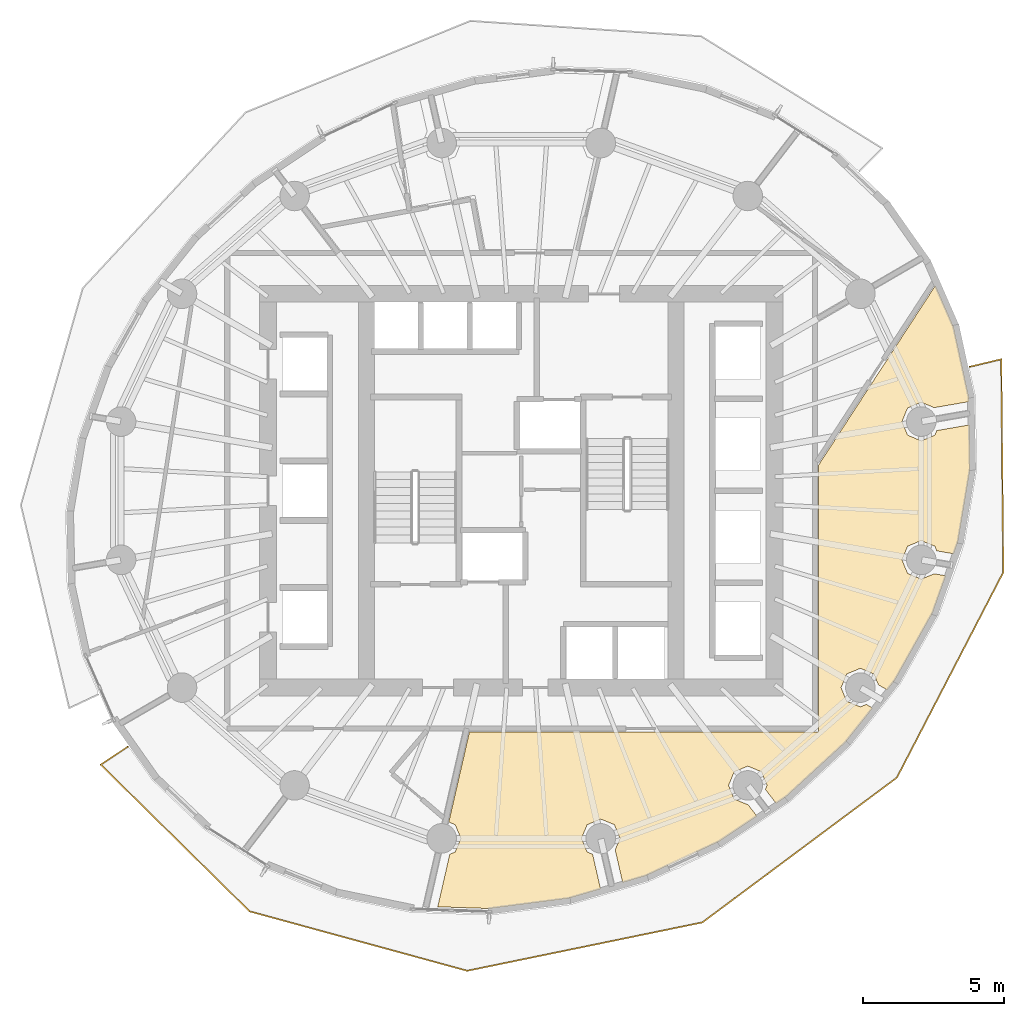
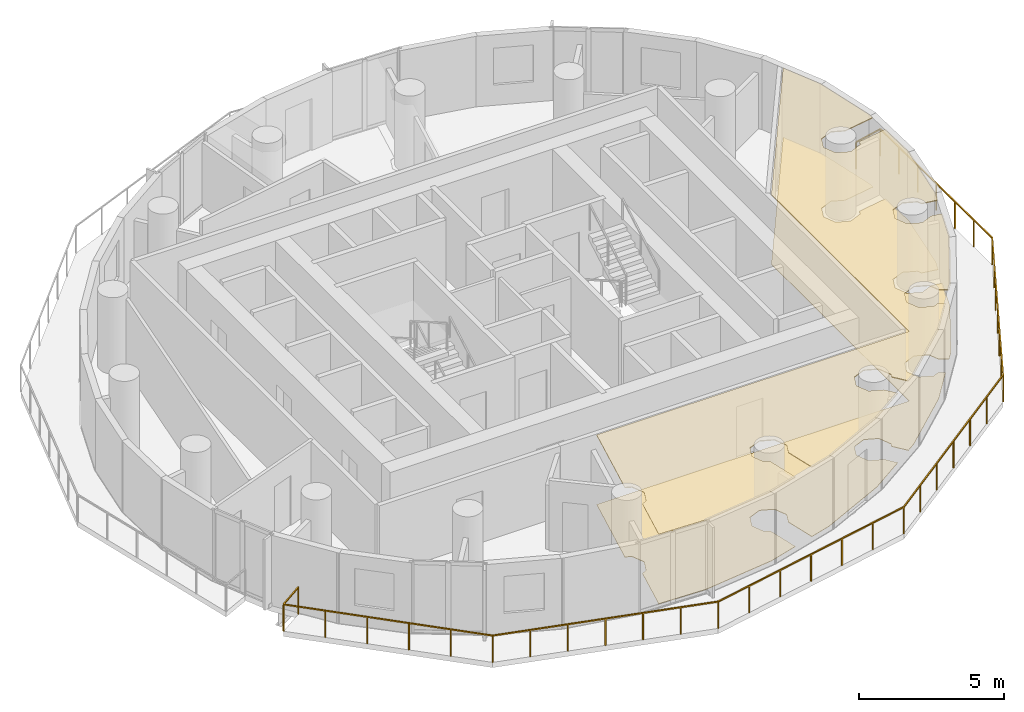
# One storey, part 10 of 13: 2 coverings, 1 railing.
"""IFC4 building model written with IfcOpenShell, lengths in metres."""

from ifc_helpers import new_model, si_unit, direction, frame, origin, origin_2d, place, context, subcontext, project, spatial, polyline, rectangle, outline, extrude, material, layer, layer_set, type_object, element, save


model = new_model("IFC4")

# Units and contexts
model_context = context("Model", 3, precision=1e-05, world=origin(), true_north=direction((0.0, 1.0)))
body_context = subcontext(model_context, "Body", "Model", "MODEL_VIEW")
ifc_project = project(units=[si_unit("LENGTHUNIT", "METRE"), si_unit("AREAUNIT", "SQUARE_METRE"), si_unit("VOLUMEUNIT", "CUBIC_METRE"), si_unit("PLANEANGLEUNIT", "RADIAN"), si_unit("MASSUNIT", "GRAM", prefix="KILO")], contexts=[model_context])

# Site, building, storey
site_placement = place(None, origin())
site = spatial("IfcSite", under=ifc_project, at=site_placement, CompositionType="ELEMENT")
building_placement = place(site_placement, origin())
building = spatial("IfcBuilding", under=site, at=building_placement, Name="Veldorim Arch Residences", CompositionType="ELEMENT")
storey_placement = place(building_placement, frame((0.0, 0.0, 120.159912109375)))
storey = spatial("IfcBuildingStorey", under=building, at=storey_placement, Name="L35", CompositionType="ELEMENT", Elevation=120.159912109375)

# Railing
ifc_material_1 = material(Name="Aluminium", Category="aluminium")
railing_type = type_object("IfcRailingType", Name="Balcony & Terrace Laminated Glass Balustrade 1150", PredefinedType="BALUSTRADE", material=ifc_material_1)
railing_placement = place(storey_placement, frame((18.01220703125, 14.89697265625, 0.0)))
element("IfcRailing", 1, at=railing_placement, inside=storey, type_object=railing_type, Name="L35 crescent balcony safety balustrade B", PredefinedType="BALUSTRADE", context=body_context, shape_type="SweptSolid", body=[
    extrude(rectangle(XDim=0.048095703125, YDim=0.048095703125, at=origin_2d()), frame((0.0, 0.0, 1.1259765625), z_axis=(-0.832930962628, -0.553376916302, 0.0), x_axis=(0.553376916302, -0.832930962628, 0.0)), (0.0, 0.0, 1.0), 1.150146484375),
    extrude(rectangle(XDim=0.048095703125, YDim=0.048095703125, at=origin_2d()), frame((-0.9580078125, -0.636474609375, 1.1259765625), z_axis=(0.712198451545, -0.7019781803, 0.0), x_axis=(0.7019781803, 0.712198451545, 0.0)), (0.0, 0.0, 1.0), 7.42919921875),
    extrude(rectangle(XDim=0.048095703125, YDim=0.048095703125, at=origin_2d()), frame((4.3330078125, -5.8515625, 1.1259765625), z_axis=(0.964666810669, -0.26347285324, 0.0), x_axis=(0.26347285324, 0.964666810669, 0.0)), (0.0, 0.0, 1.0), 8.02001953125),
    extrude(rectangle(XDim=0.048095703125, YDim=0.048095703125, at=origin_2d()), frame((12.069580078125, -7.964599609375, 1.1259765625), z_axis=(0.979482961993, 0.201526988675, 0.0), x_axis=(-0.201526988675, 0.979482961993, 0.0)), (0.0, 0.0, 1.0), 8.533447265625),
    extrude(rectangle(XDim=0.048095703125, YDim=0.048095703125, at=origin_2d()), frame((20.427978515625, -6.244873046875, 1.1259765625), z_axis=(0.802219975693, 0.597028567658, 0.0), x_axis=(-0.597028567658, 0.802219975693, 0.0)), (0.0, 0.0, 1.0), 8.62255859375),
    extrude(rectangle(XDim=0.048095703125, YDim=0.048095703125, at=origin_2d()), frame((27.34521484375, -1.096923828125, 1.1259765625), z_axis=(0.460068348409, 0.88788350294, 0.0), x_axis=(-0.88788350294, 0.460068348409, 0.0)), (0.0, 0.0, 1.0), 8.220458984375),
    extrude(rectangle(XDim=0.048095703125, YDim=0.048095703125, at=origin_2d()), frame((31.127197265625, 6.201904296875, 1.1259765625), z_axis=(-0.00966792289, 0.999953264541, 0.0), x_axis=(-0.999953264541, -0.00966792289, 0.0)), (0.0, 0.0, 1.0), 7.57568359375),
    extrude(rectangle(XDim=0.048095703125, YDim=0.048095703125, at=origin_2d()), frame((31.053955078125, 13.77734375, 1.1259765625), z_axis=(-0.972552786787, -0.232682351958, 0.0), x_axis=(0.232682351958, -0.972552786787, 0.0)), (0.0, 0.0, 1.0), 1.14990234375),
    extrude(rectangle(XDim=0.0419921875, YDim=0.0419921875, at=origin_2d()), origin(), (0.0, 0.0, 1.0), 1.101806640625),
    extrude(rectangle(XDim=0.0419921875, YDim=0.0419921875, at=origin_2d()), frame((-0.9580078125, -0.636474609375, 0.0)), (0.0, 0.0, 1.0), 1.101806640625),
    extrude(rectangle(XDim=0.0419921875, YDim=0.0419921875, at=origin_2d()), frame((0.10009765625, -1.679443359375, 0.0)), (0.0, 0.0, 1.0), 1.101806640625),
    extrude(rectangle(XDim=0.0419921875, YDim=0.0419921875, at=origin_2d()), frame((1.158447265625, -2.722412109375, 0.0)), (0.0, 0.0, 1.0), 1.101806640625),
    extrude(rectangle(XDim=0.0419921875, YDim=0.0419921875, at=origin_2d()), frame((2.216552734375, -3.765625, 0.0)), (0.0, 0.0, 1.0), 1.101806640625),
    extrude(rectangle(XDim=0.0419921875, YDim=0.0419921875, at=origin_2d()), frame((3.27490234375, -4.80859375, 0.0)), (0.0, 0.0, 1.0), 1.101806640625),
    extrude(rectangle(XDim=0.0419921875, YDim=0.0419921875, at=origin_2d()), frame((4.3330078125, -5.8515625, 0.0)), (0.0, 0.0, 1.0), 1.101806640625),
    extrude(rectangle(XDim=0.0419921875, YDim=0.0419921875, at=origin_2d()), frame((5.62255859375, -6.20361328125, 0.0)), (0.0, 0.0, 1.0), 1.101806640625),
    extrude(rectangle(XDim=0.0419921875, YDim=0.0419921875, at=origin_2d()), frame((6.911865234375, -6.555908203125, 0.0)), (0.0, 0.0, 1.0), 1.101806640625),
    extrude(rectangle(XDim=0.0419921875, YDim=0.0419921875, at=origin_2d()), frame((8.201171875, -6.908203125, 0.0)), (0.0, 0.0, 1.0), 1.101806640625),
    extrude(rectangle(XDim=0.0419921875, YDim=0.0419921875, at=origin_2d()), frame((9.49072265625, -7.26025390625, 0.0)), (0.0, 0.0, 1.0), 1.101806640625),
    extrude(rectangle(XDim=0.0419921875, YDim=0.0419921875, at=origin_2d()), frame((10.7802734375, -7.6123046875, 0.0)), (0.0, 0.0, 1.0), 1.101806640625),
    extrude(rectangle(XDim=0.0419921875, YDim=0.0419921875, at=origin_2d()), frame((12.069580078125, -7.964599609375, 0.0)), (0.0, 0.0, 1.0), 1.101806640625),
    extrude(rectangle(XDim=0.0419921875, YDim=0.0419921875, at=origin_2d()), frame((13.462646484375, -7.677978515625, 0.0)), (0.0, 0.0, 1.0), 1.101806640625),
    extrude(rectangle(XDim=0.0419921875, YDim=0.0419921875, at=origin_2d()), frame((14.855712890625, -7.391357421875, 0.0)), (0.0, 0.0, 1.0), 1.101806640625),
    extrude(rectangle(XDim=0.0419921875, YDim=0.0419921875, at=origin_2d()), frame((16.248779296875, -7.104736328125, 0.0)), (0.0, 0.0, 1.0), 1.101806640625),
    extrude(rectangle(XDim=0.0419921875, YDim=0.0419921875, at=origin_2d()), frame((17.641845703125, -6.818115234375, 0.0)), (0.0, 0.0, 1.0), 1.101806640625),
    extrude(rectangle(XDim=0.0419921875, YDim=0.0419921875, at=origin_2d()), frame((19.034912109375, -6.531494140625, 0.0)), (0.0, 0.0, 1.0), 1.101806640625),
    extrude(rectangle(XDim=0.0419921875, YDim=0.0419921875, at=origin_2d()), frame((20.427978515625, -6.244873046875, 0.0)), (0.0, 0.0, 1.0), 1.101806640625),
    extrude(rectangle(XDim=0.0419921875, YDim=0.0419921875, at=origin_2d()), frame((21.580810546875, -5.386962890625, 0.0)), (0.0, 0.0, 1.0), 1.101806640625),
    extrude(rectangle(XDim=0.0419921875, YDim=0.0419921875, at=origin_2d()), frame((22.733642578125, -4.52880859375, 0.0)), (0.0, 0.0, 1.0), 1.101806640625),
    extrude(rectangle(XDim=0.0419921875, YDim=0.0419921875, at=origin_2d()), frame((23.88671875, -3.6708984375, 0.0)), (0.0, 0.0, 1.0), 1.101806640625),
    extrude(rectangle(XDim=0.0419921875, YDim=0.0419921875, at=origin_2d()), frame((25.03955078125, -2.81298828125, 0.0)), (0.0, 0.0, 1.0), 1.101806640625),
    extrude(rectangle(XDim=0.0419921875, YDim=0.0419921875, at=origin_2d()), frame((26.1923828125, -1.954833984375, 0.0)), (0.0, 0.0, 1.0), 1.101806640625),
    extrude(rectangle(XDim=0.0419921875, YDim=0.0419921875, at=origin_2d()), frame((27.34521484375, -1.096923828125, 0.0)), (0.0, 0.0, 1.0), 1.101806640625),
    extrude(rectangle(XDim=0.0419921875, YDim=0.0419921875, at=origin_2d()), frame((27.9755859375, 0.11962890625, 0.0)), (0.0, 0.0, 1.0), 1.101806640625),
    extrude(rectangle(XDim=0.0419921875, YDim=0.0419921875, at=origin_2d()), frame((28.60595703125, 1.3359375, 0.0)), (0.0, 0.0, 1.0), 1.101806640625),
    extrude(rectangle(XDim=0.0419921875, YDim=0.0419921875, at=origin_2d()), frame((29.236328125, 2.552490234375, 0.0)), (0.0, 0.0, 1.0), 1.101806640625),
    extrude(rectangle(XDim=0.0419921875, YDim=0.0419921875, at=origin_2d()), frame((29.866455078125, 3.76904296875, 0.0)), (0.0, 0.0, 1.0), 1.101806640625),
    extrude(rectangle(XDim=0.0419921875, YDim=0.0419921875, at=origin_2d()), frame((30.496826171875, 4.9853515625, 0.0)), (0.0, 0.0, 1.0), 1.101806640625),
    extrude(rectangle(XDim=0.0419921875, YDim=0.0419921875, at=origin_2d()), frame((31.127197265625, 6.201904296875, 0.0)), (0.0, 0.0, 1.0), 1.101806640625),
    extrude(rectangle(XDim=0.0419921875, YDim=0.0419921875, at=origin_2d()), frame((31.114990234375, 7.46435546875, 0.0)), (0.0, 0.0, 1.0), 1.101806640625),
    extrude(rectangle(XDim=0.0419921875, YDim=0.0419921875, at=origin_2d()), frame((31.102783203125, 8.72705078125, 0.0)), (0.0, 0.0, 1.0), 1.101806640625),
    extrude(rectangle(XDim=0.0419921875, YDim=0.0419921875, at=origin_2d()), frame((31.090576171875, 9.98974609375, 0.0)), (0.0, 0.0, 1.0), 1.101806640625),
    extrude(rectangle(XDim=0.0419921875, YDim=0.0419921875, at=origin_2d()), frame((31.078369140625, 11.252197265625, 0.0)), (0.0, 0.0, 1.0), 1.101806640625),
    extrude(rectangle(XDim=0.0419921875, YDim=0.0419921875, at=origin_2d()), frame((31.066162109375, 12.5146484375, 0.0)), (0.0, 0.0, 1.0), 1.101806640625),
    extrude(rectangle(XDim=0.0419921875, YDim=0.0419921875, at=origin_2d()), frame((31.053955078125, 13.77734375, 0.0)), (0.0, 0.0, 1.0), 1.101806640625),
    extrude(rectangle(XDim=0.0419921875, YDim=0.0419921875, at=origin_2d()), frame((29.935546875, 13.509765625, 0.0)), (0.0, 0.0, 1.0), 1.101806640625),
])

# Coverings
ifc_material_2 = material(Name="Acoustic Gypsum & Mineral Fibre", Category="gypsum")
ifc_layer_1 = layer(ifc_material_2, 0.034912109375, Name="Perforated Acoustic Mineral-Fibre Ceiling 35")
ifc_layer_set_1 = layer_set([ifc_layer_1], Name="Acoustic Gypsum & Mineral Fibre")
covering_type_1 = type_object("IfcCoveringType", Name="Perforated Acoustic Mineral-Fibre Ceiling 35", PredefinedType="CEILING", material=ifc_layer_set_1)
covering_1_placement = place(storey_placement, frame((0.0, 0.0, 2.905029296875)))
element("IfcCovering", 2, at=covering_1_placement, inside=storey, type_object=covering_type_1, Name="L35 acoustic suspended ceiling 01", PredefinedType="CEILING", context=body_context, shape_type="SweptSolid", body=[
    extrude(outline(polyline([(35.513671875, 11.64208984375), (35.31298828125, 12.12646484375), (34.828857421875, 12.326904296875), (34.344482421875, 12.12646484375), (34.143798828125, 11.64208984375), (34.344482421875, 11.15771484375), (34.538818359375, 11.077392578125), (34.822265625, 9.8388671875), (33.680908203125, 9.50537109375), (30.888916015625, 9.14599609375), (29.033447265625, 9.208740234375), (29.461181640625, 11.077392578125), (29.655517578125, 11.15771484375), (29.856201171875, 11.64208984375), (29.655517578125, 12.12646484375), (29.4267578125, 12.22119140625), (30.161376953125, 15.429931640625), (42.570068359375, 15.429931640625), (42.570068359375, 24.908447265625), (46.72607421875, 31.2958984375), (47.374755859375, 29.81494140625), (47.91015625, 27.353515625), (47.9140625, 27.16552734375), (46.681396484375, 26.952392578125), (46.221435546875, 27.14306640625), (45.737060546875, 26.9423828125), (45.53662109375, 26.4580078125), (45.737060546875, 25.973876953125), (46.221435546875, 25.773193359375), (46.705810546875, 25.973876953125), (46.77392578125, 26.138916015625), (47.931396484375, 26.3388671875), (47.963623046875, 24.789306640625), (47.53271484375, 22.19921875), (47.37548828125, 21.757080078125), (46.77392578125, 21.861083984375), (46.705810546875, 22.026123046875), (46.221435546875, 22.226806640625), (45.737060546875, 22.026123046875), (45.53662109375, 21.5419921875), (45.737060546875, 21.0576171875), (46.221435546875, 20.85693359375), (46.681396484375, 21.047607421875), (47.09716796875, 20.9755859375), (46.629638671875, 19.662109375), (45.281005859375, 17.255615234375), (45.01171875, 16.91748046875), (44.7001953125, 17.098388671875), (44.54052734375, 17.484130859375), (44.056396484375, 17.684814453125), (43.572021484375, 17.484130859375), (43.371337890625, 16.999755859375), (43.572021484375, 16.515380859375), (44.056396484375, 16.31494140625), (44.26953125, 16.4033203125), (44.4970703125, 16.271240234375), (43.527587890625, 15.0537109375), (41.422119140625, 13.12353515625), (41.0634765625, 12.8837890625), (40.681396484375, 13.38037109375), (40.74072265625, 13.5234375), (40.5400390625, 14.0078125), (40.055908203125, 14.20849609375), (39.571533203125, 14.0078125), (39.370849609375, 13.5234375), (39.571533203125, 13.039306640625), (40.055908203125, 12.838623046875), (40.064208984375, 12.842041015625), (40.382080078125, 12.428466796875), (39.029296875, 11.524658203125), (36.42236328125, 10.306396484375), (35.6083984375, 10.068603515625), (35.342529296875, 11.229248046875), (35.513671875, 11.64208984375)])), origin(), (0.0, 0.0, 1.0), 0.03515625),
])
ifc_material_3 = material(Name="Porcelain Ceramic Tile", Category="ceramic")
ifc_layer_2 = layer(ifc_material_3, 0.02001953125, Name="Slip-Resistant Porcelain & Vinyl Floor Finish 20")
ifc_layer_set_2 = layer_set([ifc_layer_2], Name="Porcelain Ceramic Tile")
covering_type_2 = type_object("IfcCoveringType", Name="Slip-Resistant Porcelain & Vinyl Floor Finish 20", PredefinedType="FLOORING", material=ifc_layer_set_2)
covering_2_placement = place(storey_placement, origin())
element("IfcCovering", 3, at=covering_2_placement, inside=storey, type_object=covering_type_2, Name="L35 porcelain floor finish 01", PredefinedType="FLOORING", context=body_context, shape_type="SweptSolid", body=[
    extrude(outline(polyline([(35.513671875, 11.64208984375), (35.31298828125, 12.12646484375), (34.828857421875, 12.326904296875), (34.344482421875, 12.12646484375), (34.143798828125, 11.64208984375), (34.344482421875, 11.15771484375), (34.538818359375, 11.077392578125), (34.822265625, 9.8388671875), (33.680908203125, 9.50537109375), (30.888916015625, 9.14599609375), (29.033447265625, 9.208740234375), (29.461181640625, 11.077392578125), (29.655517578125, 11.15771484375), (29.856201171875, 11.64208984375), (29.655517578125, 12.12646484375), (29.4267578125, 12.22119140625), (30.161376953125, 15.429931640625), (42.570068359375, 15.429931640625), (42.570068359375, 24.908447265625), (46.72607421875, 31.2958984375), (47.374755859375, 29.81494140625), (47.91015625, 27.353515625), (47.9140625, 27.16552734375), (46.681396484375, 26.952392578125), (46.221435546875, 27.14306640625), (45.737060546875, 26.9423828125), (45.53662109375, 26.4580078125), (45.737060546875, 25.973876953125), (46.221435546875, 25.773193359375), (46.705810546875, 25.973876953125), (46.77392578125, 26.138916015625), (47.931396484375, 26.3388671875), (47.963623046875, 24.789306640625), (47.53271484375, 22.19921875), (47.37548828125, 21.757080078125), (46.77392578125, 21.861083984375), (46.705810546875, 22.026123046875), (46.221435546875, 22.226806640625), (45.737060546875, 22.026123046875), (45.53662109375, 21.5419921875), (45.737060546875, 21.0576171875), (46.221435546875, 20.85693359375), (46.681396484375, 21.047607421875), (47.09716796875, 20.9755859375), (46.629638671875, 19.662109375), (45.281005859375, 17.255615234375), (45.01171875, 16.91748046875), (44.7001953125, 17.098388671875), (44.54052734375, 17.484130859375), (44.056396484375, 17.684814453125), (43.572021484375, 17.484130859375), (43.371337890625, 16.999755859375), (43.572021484375, 16.515380859375), (44.056396484375, 16.31494140625), (44.26953125, 16.4033203125), (44.4970703125, 16.271240234375), (43.527587890625, 15.0537109375), (41.422119140625, 13.12353515625), (41.0634765625, 12.8837890625), (40.681396484375, 13.38037109375), (40.74072265625, 13.5234375), (40.5400390625, 14.0078125), (40.055908203125, 14.20849609375), (39.571533203125, 14.0078125), (39.370849609375, 13.5234375), (39.571533203125, 13.039306640625), (40.055908203125, 12.838623046875), (40.064208984375, 12.842041015625), (40.382080078125, 12.428466796875), (39.029296875, 11.524658203125), (36.42236328125, 10.306396484375), (35.6083984375, 10.068603515625), (35.342529296875, 11.229248046875), (35.513671875, 11.64208984375)])), origin(), (0.0, 0.0, 1.0), 0.02001953125),
])

save(model, "model.ifc")
